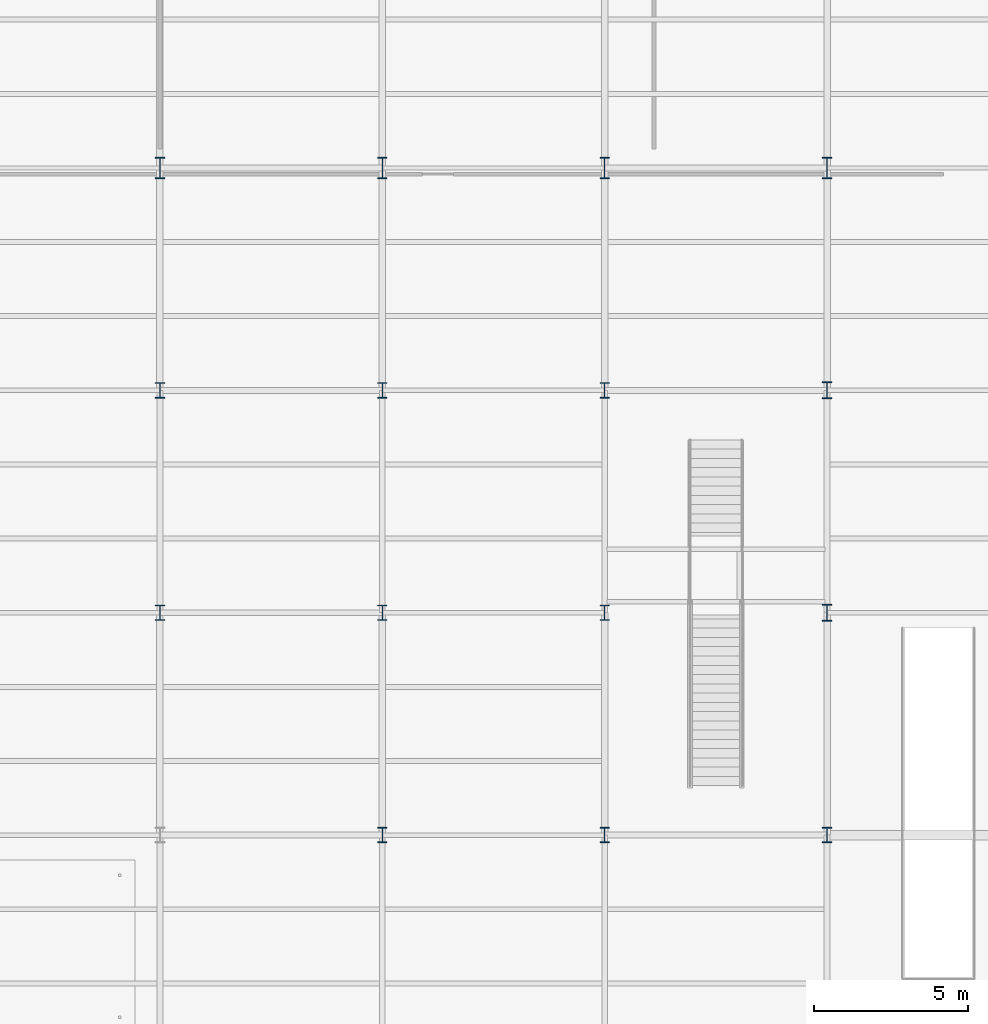
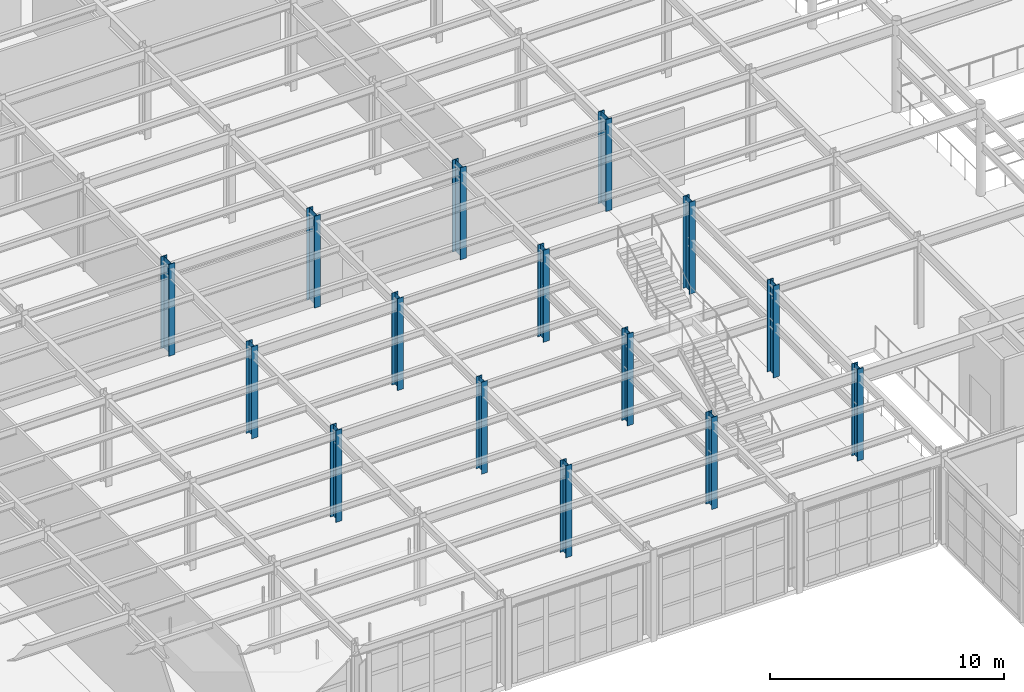
# One storey, part 9 of 121: 15 columns.
"""IFC4 building model written with IfcOpenShell, lengths in metres."""

from ifc_helpers import new_model, si_unit, direction, frame, origin, origin_2d, place, context, subcontext, project, spatial, i_section, extrude, material, material_profile, profile_set, type_object, element, save


model = new_model("IFC4")

# Units and contexts
model_context = context("Model", 3, precision=1e-05, world=origin(), true_north=direction((0.0, 1.0)))
body_context = subcontext(model_context, "Body", "Model", "MODEL_VIEW")
ifc_project = project(units=[si_unit("LENGTHUNIT", "METRE"), si_unit("AREAUNIT", "SQUARE_METRE"), si_unit("VOLUMEUNIT", "CUBIC_METRE"), si_unit("PLANEANGLEUNIT", "RADIAN"), si_unit("MASSUNIT", "GRAM", prefix="KILO")], contexts=[model_context])

# Site, building, storey
site_placement = place(None, origin())
site = spatial("IfcSite", under=ifc_project, at=site_placement, CompositionType="ELEMENT")
building_placement = place(site_placement, origin())
building = spatial("IfcBuilding", under=site, at=building_placement, Name="Solvadek Multi-Sports Hall", CompositionType="ELEMENT")
storey_placement = place(building_placement, frame((0.0, 0.0, 4.800048828125)))
storey = spatial("IfcBuildingStorey", under=building, at=storey_placement, Name="L01", CompositionType="ELEMENT", Elevation=4.800048828125)

# Columns
ifc_material = material(Name="Steel E350 (350 MPa)", Category="steel")
ifc_material_profile_1 = material_profile(ifc_material, i_section(OverallWidth=0.300048828125, OverallDepth=0.5, WebThickness=0.014404296875, FlangeThickness=0.028076171875, at=origin_2d()), Name="WPB 500")
ifc_profile_set_1 = profile_set([ifc_material_profile_1], Name="Steel E350 (350 MPa)")
column_type_1 = type_object("IfcColumnType", Name="STR-COL-WPB500", PredefinedType="COLUMN", material=ifc_profile_set_1)
for number, where, z_axis, x_axis, name in (
    (1, (36.0, 63.60009765625, 0.0), (0.0, 0.0, 1.0), (1.0, 0.0, 0.0), "L01 Column C-05 #74"),
    (2, (36.0, 70.800048828125, 0.0), (0.0, 0.0, 1.0), (1.0, 0.0, 0.0), "L01 Column C-05 #75"),
    (3, (43.199951171875, 56.39990234375, 0.0), (0.0, 0.0, 1.0), (1.0, 0.0, 0.0), "L01 Column C-05 #89"),
    (4, (43.199951171875, 63.60009765625, 0.0), (0.0, 0.0, 1.0), (1.0, 0.0, 0.0), "L01 Column C-05 #90"),
    (5, (43.199951171875, 70.800048828125, 0.0), (0.0, 0.0, 1.0), (1.0, 0.0, 0.0), "L01 Column C-05 #91"),
    (6, (50.39990234375, 56.39990234375, 0.0), (0.0, 0.0, 1.0), (1.0, 0.0, 0.0), "L01 Column C-05 #105"),
    (7, (50.39990234375, 63.60009765625, 0.0), (0.0, 0.0, 1.0), (1.0, 0.0, 0.0), "L01 Column C-05 #106"),
    (8, (50.39990234375, 70.800048828125, 0.0), (0.0, 0.0, 1.0), (1.0, 0.0, 0.0), "L01 Column C-05 #107"),
    (9, (57.60009765625, 56.39990234375, 0.0), (0.0, 0.0, 1.0), (1.0, 0.0, 0.0), "L01 Column C-05 #121"),
):
    element("IfcColumn", number, at=place(storey_placement, frame(where, z_axis=z_axis, x_axis=x_axis)), inside=storey, type_object=column_type_1, Name=name, PredefinedType="COLUMN", context=body_context, shape_type="SweptSolid", body=[
        extrude(i_section(OverallWidth=0.300048828125, OverallDepth=0.5, WebThickness=0.014404296875, FlangeThickness=0.028076171875, at=origin_2d()), origin(), (0.0, 0.0, 1.0), 4.800048828125),
    ])
ifc_material_profile_2 = material_profile(ifc_material, i_section(OverallWidth=0.300048828125, OverallDepth=0.550048828125, WebThickness=0.014892578125, FlangeThickness=0.029052734375, at=origin_2d()), Name="WPB 550")
ifc_profile_set_2 = profile_set([ifc_material_profile_2], Name="Steel E350 (350 MPa)")
column_type_2 = type_object("IfcColumnType", Name="STR-COL-WPB550", PredefinedType="COLUMN", material=ifc_profile_set_2)
for number, where, z_axis, x_axis, name in (
    (10, (57.60009765625, 63.60009765625, 0.0), (0.0, 0.0, 1.0), (1.0, 0.0, 0.0), "L01 Column C-04 #122"),
    (11, (57.60009765625, 70.800048828125, 0.0), (0.0, 0.0, 1.0), (1.0, 0.0, 0.0), "L01 Column C-04 #123"),
):
    element("IfcColumn", number, at=place(storey_placement, frame(where, z_axis=z_axis, x_axis=x_axis)), inside=storey, type_object=column_type_2, Name=name, PredefinedType="COLUMN", context=body_context, shape_type="SweptSolid", body=[
        extrude(i_section(OverallWidth=0.300048828125, OverallDepth=0.550048828125, WebThickness=0.014892578125, FlangeThickness=0.029052734375, at=origin_2d()), origin(), (0.0, 0.0, 1.0), 4.800048828125),
    ])
ifc_material_profile_3 = material_profile(ifc_material, i_section(OverallWidth=0.300048828125, OverallDepth=0.699951171875, WebThickness=0.01708984375, FlangeThickness=0.031982421875, at=origin_2d()), Name="WPB 700")
ifc_profile_set_3 = profile_set([ifc_material_profile_3], Name="Steel E350 (350 MPa)")
column_type_3 = type_object("IfcColumnType", Name="STR-COL-WPB700", PredefinedType="COLUMN", material=ifc_profile_set_3)
for number, where, z_axis, x_axis, name in (
    (12, (36.0, 78.0, 0.0), (0.0, 0.0, 1.0), (1.0, 0.0, 0.0), "L01 Column C-02 #76"),
    (13, (43.199951171875, 78.0, 0.0), (0.0, 0.0, 1.0), (1.0, 0.0, 0.0), "L01 Column C-02 #92"),
    (14, (50.39990234375, 78.0, 0.0), (0.0, 0.0, 1.0), (1.0, 0.0, 0.0), "L01 Column C-02 #108"),
    (15, (57.60009765625, 78.0, 0.0), (0.0, 0.0, 1.0), (1.0, 0.0, 0.0), "L01 Column C-02 #124"),
):
    element("IfcColumn", number, at=place(storey_placement, frame(where, z_axis=z_axis, x_axis=x_axis)), inside=storey, type_object=column_type_3, Name=name, PredefinedType="COLUMN", context=body_context, shape_type="SweptSolid", body=[
        extrude(i_section(OverallWidth=0.300048828125, OverallDepth=0.699951171875, WebThickness=0.01708984375, FlangeThickness=0.031982421875, at=origin_2d()), origin(), (0.0, 0.0, 1.0), 4.800048828125),
    ])

save(model, "model.ifc")
